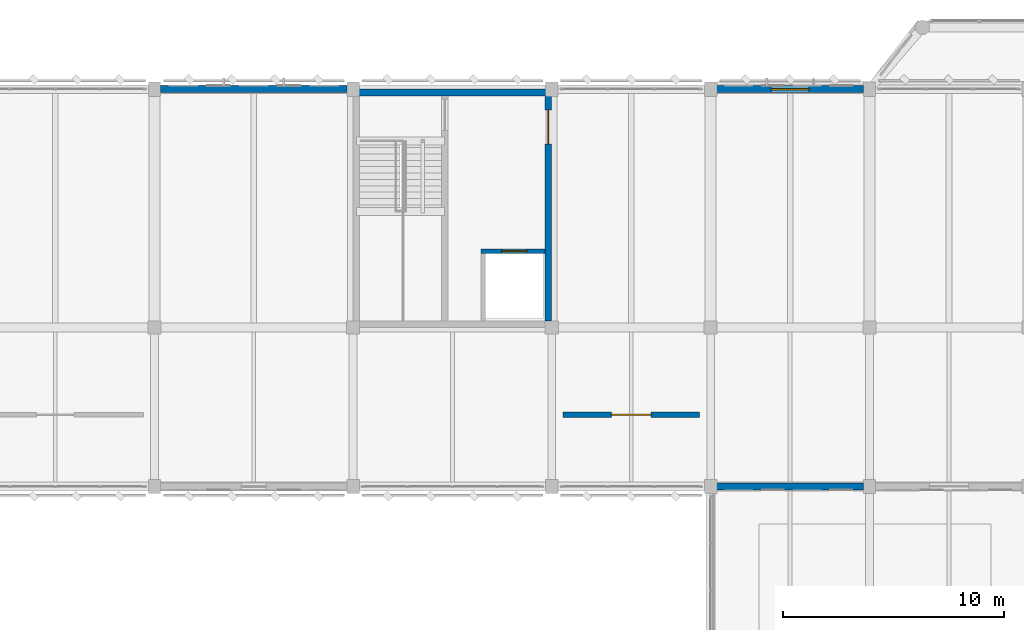
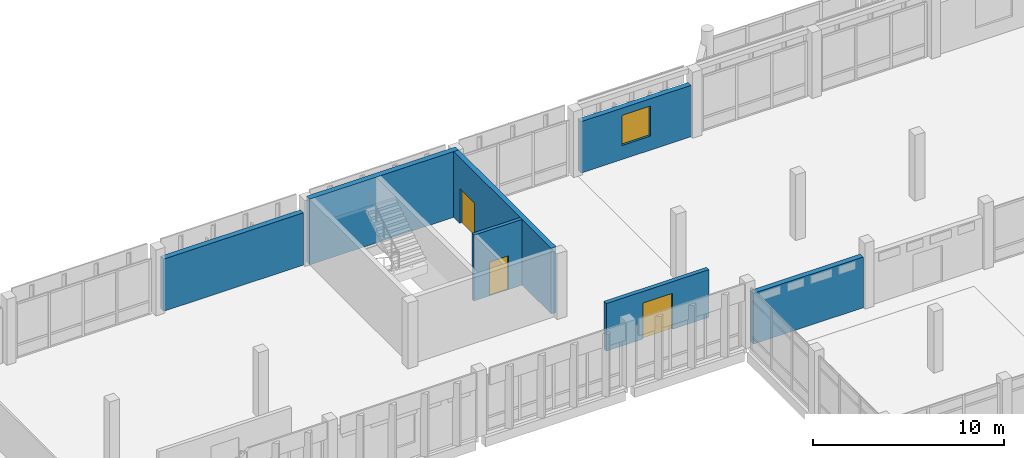
# One storey, part 135 of 158: 7 walls, 3 doors, 1 window, 4 openings.
"""IFC4 building model written with IfcOpenShell, lengths in metres."""

from ifc_helpers import new_model, si_unit, direction, frame, frame_2d, origin, place, context, subcontext, project, spatial, rectangle, extrude, material, layer, layer_set, type_object, element, fill, save


model = new_model("IFC4")

# Units and contexts
model_context = context("Model", 3, precision=1e-05, world=origin(), true_north=direction((0.0, 1.0)))
body_context = subcontext(model_context, "Body", "Model", "MODEL_VIEW")
ifc_project = project(units=[si_unit("LENGTHUNIT", "METRE"), si_unit("AREAUNIT", "SQUARE_METRE"), si_unit("VOLUMEUNIT", "CUBIC_METRE"), si_unit("PLANEANGLEUNIT", "RADIAN"), si_unit("MASSUNIT", "GRAM", prefix="KILO")], contexts=[model_context])

# Site, building, storey
site_placement = place(None, origin())
site = spatial("IfcSite", under=ifc_project, at=site_placement, CompositionType="ELEMENT")
building_placement = place(site_placement, origin())
building = spatial("IfcBuilding", under=site, at=building_placement, Name="Lusvemor Sports Hall", CompositionType="ELEMENT")
storey_placement = place(building_placement, frame((0.0, 0.0, 10.800048828125)))
storey = spatial("IfcBuildingStorey", under=building, at=storey_placement, Name="L02", CompositionType="ELEMENT", Elevation=10.800048828125)

# Wall
ifc_material_1 = material(Name="Warm terracotta Art Nouveau ceramic cladding on Concrete C40/50 backing", Category="masonry")
ifc_layer_1 = layer(ifc_material_1, 0.31494140625)
ifc_layer_set_1 = layer_set([ifc_layer_1], Name="Warm terracotta Art Nouveau ceramic cladding on Concrete C40/50 backing")
wall_type_1 = type_object("IfcWallType", Name="EW_WING_CAV_315", PredefinedType="STANDARD", material=ifc_layer_set_1)
wall_1_placement = place(storey_placement, frame((93.8759765625, 115.199951171875, 0.0), z_axis=(0.0, 0.0, 1.0), x_axis=(1.0, 0.0, 0.0)))
element("IfcWall", 1, at=wall_1_placement, inside=storey, type_object=wall_type_1, Name="Exterior Wall EW-L02-N-1-9", PredefinedType="STANDARD", context=body_context, shape_type="SweptSolid", body=[
    extrude(rectangle(XDim=8.447998046875, YDim=0.31494140625, at=frame_2d((4.22412109375, 0.0))), origin(), (0.0, 0.0, 1.0), 3.3349609375),
])

# Wall, opening, window
wall_2_placement = place(storey_placement, frame((119.075927734375, 115.199951171875, 0.0), z_axis=(0.0, 0.0, 1.0), x_axis=(1.0, 0.0, 0.0)))
wall_2 = element("IfcWall", 2, at=wall_2_placement, inside=storey, type_object=wall_type_1, Name="Exterior Wall EW-L02-N-1-12", PredefinedType="STANDARD", context=body_context, shape_type="SweptSolid", body=[
    extrude(rectangle(XDim=6.648193359375, YDim=0.31494140625, at=frame_2d((3.32421875, 0.0))), origin(), (0.0, 0.0, 1.0), 3.280029296875),
])
opening_1_placement = place(wall_2_placement, frame((2.464111328125, 0.0, 0.89990234375)))
opening_1 = element("IfcOpeningElement", 3, at=opening_1_placement, cuts=wall_2, Name="Opening WN25", PredefinedType="OPENING", context=body_context, shape_type="SweptSolid", body=[
    extrude(rectangle(XDim=1.719970703125, YDim=1.919921875, at=frame_2d((0.85986328125, 0.9599609375))), frame((0.0, 0.157470703125, 0.0), z_axis=(0.0, -1.0, 0.0), x_axis=(1.0, 0.0, 0.0)), (0.0, 0.0, 1.0), 0.31494140625),
])
ifc_material_2 = material(Name="Solar-control laminated double glazing", Category="glass")
window_type = type_object("IfcWindowType", Name="WIN_25", PartitioningType="SINGLE_PANEL", PredefinedType="WINDOW", material=ifc_material_2)
window_placement = place(opening_1_placement, origin())
window = element("IfcWindow", 4, at=window_placement, inside=storey, type_object=window_type, Name="Wing Window L02-N-1-12", OverallHeight=1.919921875, OverallWidth=1.719970703125, PartitioningType="SINGLE_PANEL", PredefinedType="WINDOW", context=body_context, shape_type="SweptSolid", body=[
    extrude(rectangle(XDim=1.719970703125, YDim=1.919921875, at=frame_2d((0.85986328125, 0.9599609375))), frame((0.0, 0.030029296875, 0.0), z_axis=(0.0, -1.0, 0.0), x_axis=(1.0, 0.0, 0.0)), (0.0, 0.0, 1.0), 0.06005859375),
])
fill(opening_1, window)

# Wall
wall_3_placement = place(storey_placement, frame((125.72412109375, 97.199951171875, 0.0), z_axis=(0.0, 0.0, 1.0), x_axis=(-1.0, 0.0, 0.0)))
element("IfcWall", 5, at=wall_3_placement, inside=storey, type_object=wall_type_1, Name="Exterior Wall EW-L02-S-3-10", PredefinedType="STANDARD", context=body_context, shape_type="SweptSolid", body=[
    extrude(rectangle(XDim=6.648193359375, YDim=0.31494140625, at=frame_2d((3.32421875, 0.0))), origin(), (0.0, 0.0, 1.0), 3.239990234375),
])

# Wall, opening, door
ifc_material_3 = material(Name="Plastered ceramic masonry blockwork", Category="masonry")
ifc_layer_2 = layer(ifc_material_3, 0.25)
ifc_layer_set_2 = layer_set([ifc_layer_2], Name="Plastered ceramic masonry blockwork")
wall_type_2 = type_object("IfcWallType", Name="IW_COMP_248", PredefinedType="STANDARD", material=ifc_layer_set_2)
wall_4_placement = place(storey_placement, frame((112.10009765625, 100.449951171875, 0.0), z_axis=(0.0, 0.0, 1.0), x_axis=(1.0, 0.0, 0.0)))
wall_4 = element("IfcWall", 6, at=wall_4_placement, inside=storey, type_object=wall_type_2, Name="Partition IW-L02-CNN-PLT2", PredefinedType="STANDARD", context=body_context, shape_type="SweptSolid", body=[
    extrude(rectangle(XDim=6.199951171875, YDim=0.25, at=frame_2d((3.10009765625, 0.0))), origin(), (0.0, 0.0, 1.0), 3.0400390625),
])
opening_2_placement = place(wall_4_placement, frame((2.199951171875, 0.0, 0.0)))
opening_2 = element("IfcOpeningElement", 7, at=opening_2_placement, cuts=wall_4, Name="Opening DR-FD60-02", PredefinedType="OPENING", context=body_context, shape_type="SweptSolid", body=[
    extrude(rectangle(XDim=1.800048828125, YDim=2.300048828125, at=frame_2d((0.89990234375, 1.14990234375))), frame((0.0, 0.125, 0.0), z_axis=(0.0, -1.0, 0.0), x_axis=(1.0, 0.0, 0.0)), (0.0, 0.0, 1.0), 0.25),
])
ifc_material_4 = material(Name="Fire-rated insulated painted steel door assembly", Category="steel")
door_type_1 = type_object("IfcDoorType", Name="IDR_PLANT_FD60_180", OperationType="NOTDEFINED", PredefinedType="DOOR", material=ifc_material_4)
door_1_placement = place(opening_2_placement, origin())
door_1 = element("IfcDoor", 8, at=door_1_placement, inside=storey, type_object=door_type_1, Name="DR-196", OperationType="SINGLE_SWING_RIGHT", OverallHeight=2.300048828125, OverallWidth=1.800048828125, PredefinedType="DOOR", context=body_context, shape_type="SweptSolid", body=[
    extrude(rectangle(XDim=1.800048828125, YDim=2.300048828125, at=frame_2d((0.89990234375, 1.14990234375))), frame((0.0, 0.02490234375, 0.0), z_axis=(0.0, -1.0, 0.0), x_axis=(1.0, 0.0, 0.0)), (0.0, 0.0, 1.0), 0.050048828125),
])
fill(opening_2, door_1)

ifc_material_5 = material(Name="Concrete C40/50", Category="concrete")
ifc_layer_3 = layer(ifc_material_5, 0.2099609375)
ifc_layer_set_3 = layer_set([ifc_layer_3], Name="Concrete C40/50")
wall_type_3 = type_object("IfcWallType", Name="IW_SHFT_212", PredefinedType="STANDARD", material=ifc_layer_set_3)
wall_5_placement = place(storey_placement, frame((108.389892578125, 107.85009765625, 0.0), z_axis=(0.0, 0.0, 1.0), x_axis=(1.0, 0.0, 0.0)))
wall_5 = element("IfcWall", 9, at=wall_5_placement, inside=storey, type_object=wall_type_3, Name="Lift LF-02 Shaft Front Wall (L02)", PredefinedType="STANDARD", context=body_context, shape_type="SweptSolid", body=[
    extrude(rectangle(XDim=2.91015625, YDim=0.2099609375, at=frame_2d((1.455078125, 0.0))), origin(), (0.0, 0.0, 1.0), 4.199951171875),
])
opening_3_placement = place(wall_5_placement, frame((0.93994140625, 0.0, 0.0)))
opening_3 = element("IfcOpeningElement", 10, at=opening_3_placement, cuts=wall_5, Name="Opening LD-01", PredefinedType="OPENING", context=body_context, shape_type="SweptSolid", body=[
    extrude(rectangle(XDim=1.139892578125, YDim=2.159912109375, at=frame_2d((0.56982421875, 1.080078125))), frame((0.0, 0.10498046875, 0.0), z_axis=(0.0, -1.0, 0.0), x_axis=(1.0, 0.0, 0.0)), (0.0, 0.0, 1.0), 0.2099609375),
])
ifc_material_6 = material(Name="Brushed stainless-steel sliding lift landing door", Category="steel")
door_type_2 = type_object("IfcDoorType", Name="LIFT_DOOR_FF_114", OperationType="NOTDEFINED", PredefinedType="DOOR", material=ifc_material_6)
door_2_placement = place(opening_3_placement, origin())
door_2 = element("IfcDoor", 11, at=door_2_placement, inside=storey, type_object=door_type_2, Name="DR-085", OperationType="SLIDING_TO_LEFT", OverallHeight=2.159912109375, OverallWidth=1.139892578125, PredefinedType="DOOR", context=body_context, shape_type="SweptSolid", body=[
    extrude(rectangle(XDim=1.139892578125, YDim=2.159912109375, at=frame_2d((0.56982421875, 1.080078125))), frame((0.0, 0.02490234375, 0.0), z_axis=(0.0, -1.0, 0.0), x_axis=(1.0, 0.0, 0.0)), (0.0, 0.0, 1.0), 0.050048828125),
])
fill(opening_3, door_2)

ifc_material_7 = material(Name="Concrete C40/50", Category="concrete")
ifc_layer_4 = layer(ifc_material_7, 0.300048828125)
ifc_layer_set_4 = layer_set([ifc_layer_4], Name="Concrete C40/50")
wall_type_4 = type_object("IfcWallType", Name="WALL_CORE_300_INT", PredefinedType="SHEAR", material=ifc_layer_set_4)
wall_6_placement = place(storey_placement, frame((111.449951171875, 114.89990234375, 0.0), z_axis=(0.0, 0.0, 1.0), x_axis=(0.0, -1.0, 0.0)))
wall_6 = element("IfcWall", 12, at=wall_6_placement, inside=storey, type_object=wall_type_4, Name="Core C4 North-Central Shear Wall E (L02)", PredefinedType="SHEAR", context=body_context, shape_type="SweptSolid", body=[
    extrude(rectangle(XDim=10.199951171875, YDim=0.300048828125, at=frame_2d((5.10009765625, 0.0))), origin(), (0.0, 0.0, 1.0), 4.199951171875),
])
opening_4_placement = place(wall_6_placement, frame((0.64990234375, 0.0, 0.0)))
opening_4 = element("IfcOpeningElement", 13, at=opening_4_placement, cuts=wall_6, Name="Opening DR-FD60-01", PredefinedType="OPENING", context=body_context, shape_type="SweptSolid", body=[
    extrude(rectangle(XDim=1.5400390625, YDim=2.219970703125, at=frame_2d((0.77001953125, 1.10986328125))), frame((0.0, 0.14990234375, 0.0), z_axis=(0.0, -1.0, 0.0), x_axis=(1.0, 0.0, 0.0)), (0.0, 0.0, 1.0), 0.300048828125),
])
ifc_material_8 = material(Name="Fire-rated insulated painted steel door assembly", Category="steel")
door_type_3 = type_object("IfcDoorType", Name="IDR_LOBBY_FD60_154", OperationType="NOTDEFINED", PredefinedType="DOOR", material=ifc_material_8)
door_3_placement = place(opening_4_placement, origin())
door_3 = element("IfcDoor", 14, at=door_3_placement, inside=storey, type_object=door_type_3, Name="DR-093", OperationType="SINGLE_SWING_LEFT", OverallHeight=2.219970703125, OverallWidth=1.5400390625, PredefinedType="DOOR", context=body_context, shape_type="SweptSolid", body=[
    extrude(rectangle(XDim=1.5400390625, YDim=2.219970703125, at=frame_2d((0.77001953125, 1.10986328125))), frame((0.0, 0.02490234375, 0.0), z_axis=(0.0, -1.0, 0.0), x_axis=(1.0, 0.0, 0.0)), (0.0, 0.0, 1.0), 0.050048828125),
])
fill(opening_4, door_3)

# Wall
ifc_material_9 = material(Name="Concrete C40/50", Category="concrete")
ifc_layer_5 = layer(ifc_material_9, 0.324951171875)
ifc_layer_set_5 = layer_set([ifc_layer_5], Name="Concrete C40/50")
wall_type_5 = type_object("IfcWallType", Name="WALL_CORE_325_EXT", PredefinedType="SHEAR", material=ifc_layer_set_5)
wall_7_placement = place(storey_placement, frame((102.60009765625, 115.050048828125, 0.0), z_axis=(0.0, 0.0, 1.0), x_axis=(1.0, 0.0, 0.0)))
element("IfcWall", 15, at=wall_7_placement, inside=storey, type_object=wall_type_5, Name="Core C4 North-Central Shear Wall N (L02)", PredefinedType="SHEAR", context=body_context, shape_type="SweptSolid", body=[
    extrude(rectangle(XDim=9.0, YDim=0.324951171875, at=frame_2d((4.5, 0.0))), origin(), (0.0, 0.0, 1.0), 4.199951171875),
])

save(model, "model.ifc")
